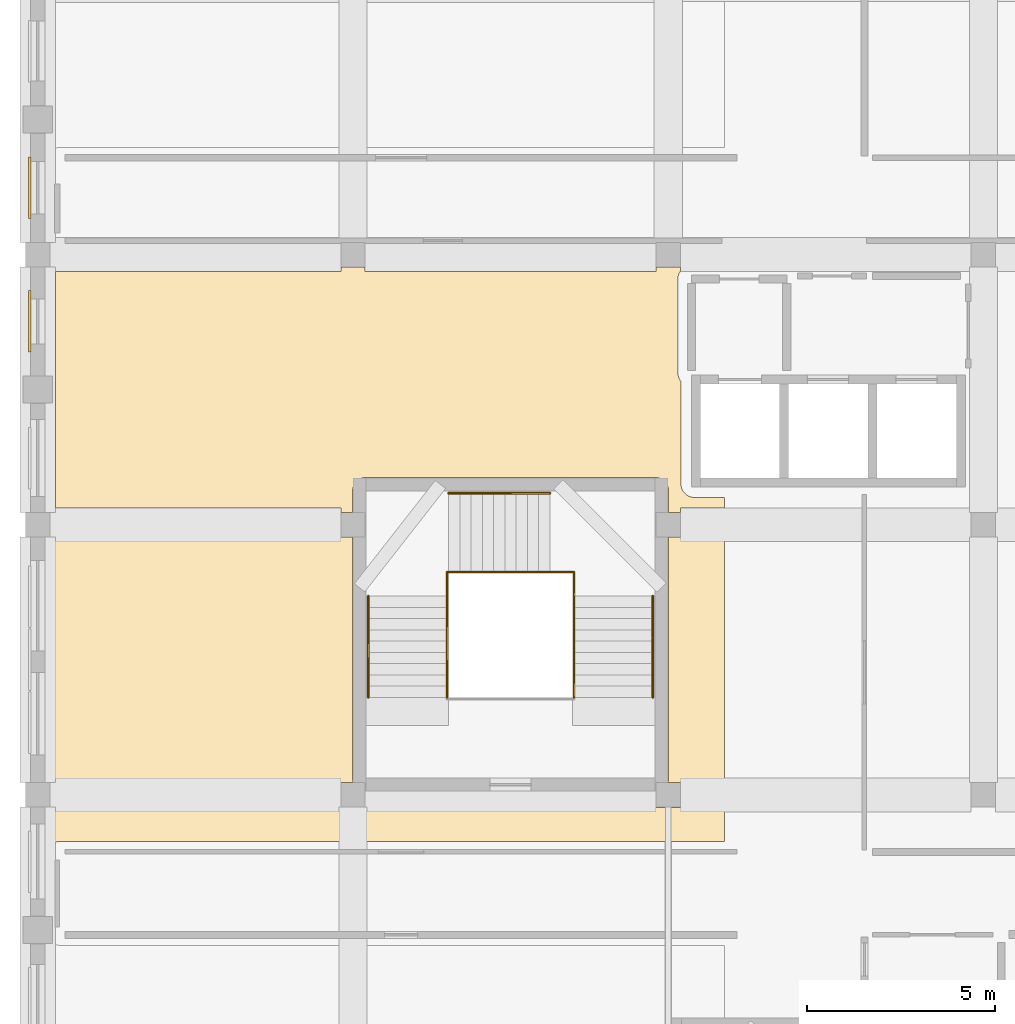
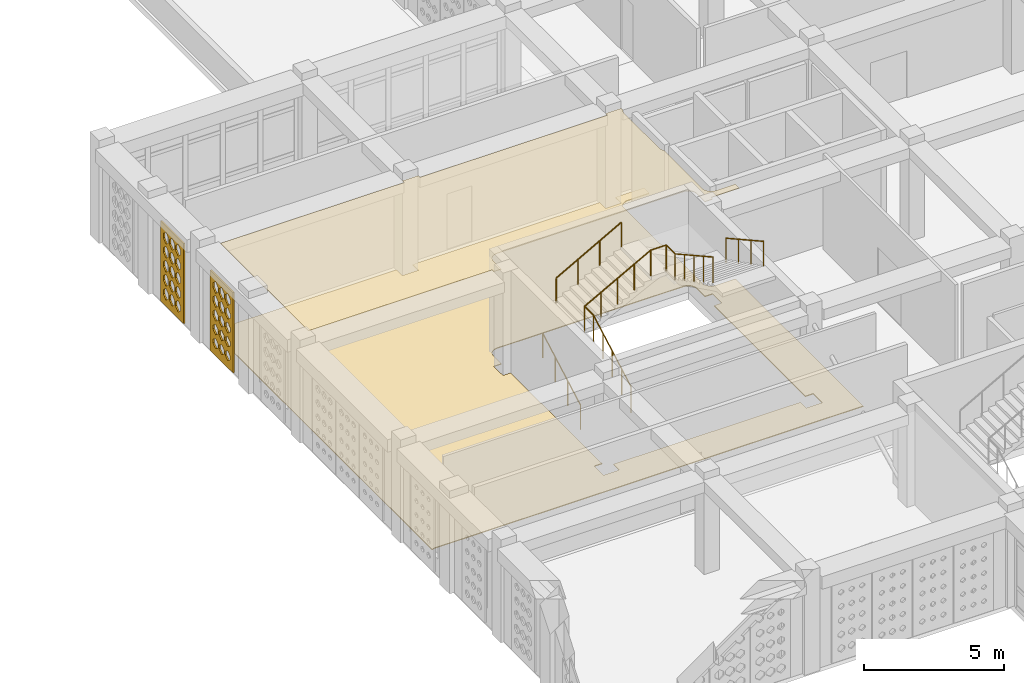
# One storey, part 59 of 79: 6 railings, 4 coverings.
"""IFC4 building model written with IfcOpenShell, lengths in metres."""

from ifc_helpers import new_model, si_unit, derived_unit, direction, frame, origin, origin_2d, place, context, subcontext, project, spatial, polyline, circle, outline, extrude, material, layer, layer_set, type_object, element, save


model = new_model("IFC4")

# Units and contexts
model_context = context("Model", 3, precision=1e-05, world=origin(), true_north=direction((0.0, 1.0)))
body_context = subcontext(model_context, "Body", "Model", "MODEL_VIEW")
ifc_project = project(units=[si_unit("LENGTHUNIT", "METRE"), si_unit("AREAUNIT", "SQUARE_METRE"), si_unit("VOLUMEUNIT", "CUBIC_METRE"), si_unit("PLANEANGLEUNIT", "RADIAN"), si_unit("MASSUNIT", "GRAM", prefix="KILO"), derived_unit("THERMALTRANSMITTANCEUNIT", [(si_unit("POWERUNIT", "WATT"), 1), (si_unit("LENGTHUNIT", "METRE"), -2), (si_unit("THERMODYNAMICTEMPERATUREUNIT", "KELVIN"), -1)])], contexts=[model_context])

# Site, building, storey
site_placement = place(None, origin())
site = spatial("IfcSite", under=ifc_project, at=site_placement, CompositionType="ELEMENT")
building_placement = place(site_placement, origin())
building = spatial("IfcBuilding", under=site, at=building_placement, Name="Veybourne Emporium", CompositionType="ELEMENT")
storey_placement = place(building_placement, frame((0.0, 0.0, 18.89990234375)))
storey = spatial("IfcBuildingStorey", under=building, at=storey_placement, Name="L04", CompositionType="ELEMENT", Elevation=18.89990234375)

# Coverings
ifc_material_1 = material(Name="Mineral Acoustic Ceiling", Category="gypsum")
ifc_layer_1 = layer(ifc_material_1, 0.02490234375)
ifc_layer_set_1 = layer_set([ifc_layer_1], Name="Mineral Acoustic Ceiling")
covering_type_1 = type_object("IfcCoveringType", Name="Ceiling_CLG-01", PredefinedType="CEILING", material=ifc_layer_set_1)
covering_1_placement = place(storey_placement, frame((0.0, 0.0, 4.155029296875)))
element("IfcCovering", 1, at=covering_1_placement, inside=storey, type_object=covering_type_1, Name="L04 coffered acoustic ceiling 04", PredefinedType="CEILING", context=body_context, shape_type="SweptSolid", body=[
    extrude(outline(polyline([(8.72509765625, 42.8701171875), (8.72509765625, 42.751953125), (16.47509765625, 42.751953125), (16.47509765625, 42.8701171875), (17.125, 42.8701171875), (17.125, 42.756103515625), (17.115478515625, 42.74169921875), (17.107421875, 42.728271484375), (17.09814453125, 42.7109375), (17.09130859375, 42.69677734375), (17.083984375, 42.6787109375), (17.07861328125, 42.663818359375), (17.072998046875, 42.64501953125), (17.069091796875, 42.6298828125), (17.065185546875, 42.610595703125), (17.06298828125, 42.594970703125), (17.06103515625, 42.575439453125), (17.060302734375, 42.559814453125), (17.06005859375, 42.550048828125), (17.06005859375, 40.04833984375), (17.060302734375, 40.038818359375), (17.06103515625, 40.0234375), (17.062744140625, 40.00439453125), (17.06494140625, 39.9892578125), (17.068603515625, 39.970458984375), (17.072265625, 39.95556640625), (17.077880859375, 39.93701171875), (17.082763671875, 39.92236328125), (17.090087890625, 39.90478515625), (17.096435546875, 39.890869140625), (17.105224609375, 39.873779296875), (17.113037109375, 39.860595703125), (17.12353515625, 39.844482421875), (17.13232421875, 39.83203125), (17.139892578125, 39.822509765625), (17.139892578125, 37.090087890625), (17.14013671875, 37.080078125), (17.14111328125, 37.064453125), (17.142822265625, 37.044921875), (17.145263671875, 37.029541015625), (17.149169921875, 37.01025390625), (17.15283203125, 36.994873046875), (17.15869140625, 36.97607421875), (17.163818359375, 36.96142578125), (17.17138671875, 36.943359375), (17.177978515625, 36.92919921875), (17.187255859375, 36.911865234375), (17.1953125, 36.8984375), (17.206298828125, 36.8818359375), (17.2158203125, 36.869384765625), (17.22802734375, 36.854248046875), (17.238525390625, 36.842529296875), (17.252685546875, 36.82861328125), (17.26416015625, 36.818115234375), (17.279296875, 36.8056640625), (17.2919921875, 36.79638671875), (17.308349609375, 36.785400390625), (17.32177734375, 36.77734375), (17.339111328125, 36.76806640625), (17.353271484375, 36.761474609375), (17.371337890625, 36.75390625), (17.38623046875, 36.74853515625), (17.405029296875, 36.742919921875), (17.420166015625, 36.739013671875), (17.439453125, 36.7353515625), (17.455078125, 36.73291015625), (17.474609375, 36.73095703125), (17.490234375, 36.730224609375), (17.5, 36.72998046875), (18.303955078125, 36.72998046875), (18.303955078125, 36.447998046875), (17.125, 36.447998046875), (17.125, 36.330078125), (16.81005859375, 36.330078125), (16.81005859375, 36.89990234375), (16.809814453125, 36.909912109375), (16.80908203125, 36.925537109375), (16.80712890625, 36.945068359375), (16.8046875, 36.96044921875), (16.801025390625, 36.979736328125), (16.797119140625, 36.9951171875), (16.79150390625, 37.013916015625), (16.7861328125, 37.028564453125), (16.778564453125, 37.046630859375), (16.77197265625, 37.06103515625), (16.7626953125, 37.078125), (16.754638671875, 37.091796875), (16.74365234375, 37.108154296875), (16.734375, 37.12060546875), (16.721923828125, 37.1357421875), (16.71142578125, 37.1474609375), (16.697265625, 37.161376953125), (16.685791015625, 37.171875), (16.670654296875, 37.184326171875), (16.658203125, 37.193603515625), (16.6416015625, 37.20458984375), (16.628173828125, 37.212646484375), (16.61083984375, 37.221923828125), (16.5966796875, 37.228515625), (16.57861328125, 37.236083984375), (16.56396484375, 37.241455078125), (16.545166015625, 37.2470703125), (16.52978515625, 37.2509765625), (16.510498046875, 37.2548828125), (16.494873046875, 37.257080078125), (16.4755859375, 37.259033203125), (16.459716796875, 37.259765625), (16.449951171875, 37.260009765625), (8.75, 37.260009765625), (8.740234375, 37.259765625), (8.724609375, 37.259033203125), (8.705078125, 37.257080078125), (8.689453125, 37.2548828125), (8.670166015625, 37.2509765625), (8.655029296875, 37.2470703125), (8.63623046875, 37.241455078125), (8.621337890625, 37.236083984375), (8.603271484375, 37.228515625), (8.589111328125, 37.221923828125), (8.57177734375, 37.212646484375), (8.558349609375, 37.20458984375), (8.5419921875, 37.193603515625), (8.529296875, 37.184326171875), (8.51416015625, 37.171875), (8.502685546875, 37.161376953125), (8.488525390625, 37.1474609375), (8.47802734375, 37.1357421875), (8.4658203125, 37.12060546875), (8.456298828125, 37.108154296875), (8.4453125, 37.091796875), (8.437255859375, 37.078125), (8.427978515625, 37.06103515625), (8.42138671875, 37.046630859375), (8.413818359375, 37.028564453125), (8.40869140625, 37.013916015625), (8.40283203125, 36.9951171875), (8.399169921875, 36.979736328125), (8.395263671875, 36.96044921875), (8.392822265625, 36.945068359375), (8.39111328125, 36.925537109375), (8.39013671875, 36.909912109375), (8.389892578125, 36.89990234375), (8.389892578125, 36.330078125), (8.074951171875, 36.330078125), (8.074951171875, 36.447998046875), (0.472900390625, 36.447998046875), (0.472900390625, 42.751953125), (8.074951171875, 42.751953125), (8.074951171875, 42.8701171875), (8.72509765625, 42.8701171875)])), origin(), (0.0, 0.0, 1.0), 0.025146484375),
])
ifc_material_2 = material(Name="European Oak Parquet", Category="wood")
ifc_layer_2 = layer(ifc_material_2, 0.034912109375)
ifc_layer_set_2 = layer_set([ifc_layer_2], Name="European Oak Parquet")
covering_type_2 = type_object("IfcCoveringType", Name="Flooring_FLR-02", PredefinedType="FLOORING", material=ifc_layer_set_2)
covering_2_placement = place(storey_placement, origin())
element("IfcCovering", 2, at=covering_2_placement, inside=storey, type_object=covering_type_2, Name="L04 floor finish 04", PredefinedType="FLOORING", context=body_context, shape_type="SweptSolid", body=[
    extrude(outline(polyline([(0.453369140625, 43.3212890625), (0.471435546875, 43.31396484375), (0.486083984375, 43.30859375), (0.5048828125, 43.302978515625), (0.520263671875, 43.299072265625), (0.53955078125, 43.295166015625), (0.554931640625, 43.29296875), (0.574462890625, 43.291015625), (0.590087890625, 43.290283203125), (0.60009765625, 43.2900390625), (8.070068359375, 43.2900390625), (8.070068359375, 42.8701171875), (8.72998046875, 42.8701171875), (8.72998046875, 43.2900390625), (16.469970703125, 43.2900390625), (16.469970703125, 42.8701171875), (17.1298828125, 42.8701171875), (17.1298828125, 43.2900390625), (18.303955078125, 43.2900390625), (18.303955078125, 42.909912109375), (17.419921875, 42.909912109375), (17.41015625, 42.90966796875), (17.39453125, 42.908935546875), (17.375, 42.906982421875), (17.359375, 42.90478515625), (17.340087890625, 42.90087890625), (17.324951171875, 42.897216796875), (17.30615234375, 42.891357421875), (17.291259765625, 42.88623046875), (17.273193359375, 42.878662109375), (17.259033203125, 42.871826171875), (17.24169921875, 42.86279296875), (17.228271484375, 42.8544921875), (17.2119140625, 42.84375), (17.19921875, 42.834228515625), (17.184326171875, 42.822021484375), (17.172607421875, 42.811279296875), (17.15869140625, 42.79736328125), (17.14794921875, 42.78564453125), (17.1357421875, 42.770751953125), (17.12646484375, 42.758056640625), (17.115478515625, 42.74169921875), (17.107421875, 42.728271484375), (17.09814453125, 42.7109375), (17.09130859375, 42.69677734375), (17.083984375, 42.6787109375), (17.07861328125, 42.663818359375), (17.072998046875, 42.64501953125), (17.069091796875, 42.6298828125), (17.065185546875, 42.610595703125), (17.06298828125, 42.594970703125), (17.06103515625, 42.575439453125), (17.060302734375, 42.559814453125), (17.06005859375, 42.550048828125), (17.06005859375, 40.04833984375), (17.060302734375, 40.038818359375), (17.06103515625, 40.0234375), (17.062744140625, 40.00439453125), (17.06494140625, 39.9892578125), (17.068603515625, 39.970458984375), (17.072265625, 39.95556640625), (17.077880859375, 39.93701171875), (17.082763671875, 39.92236328125), (17.090087890625, 39.90478515625), (17.096435546875, 39.890869140625), (17.105224609375, 39.873779296875), (17.113037109375, 39.860595703125), (17.12353515625, 39.844482421875), (17.13232421875, 39.83203125), (17.139892578125, 39.822509765625), (17.139892578125, 37.090087890625), (17.14013671875, 37.080078125), (17.14111328125, 37.064453125), (17.142822265625, 37.044921875), (17.145263671875, 37.029541015625), (17.149169921875, 37.01025390625), (17.15283203125, 36.994873046875), (17.15869140625, 36.97607421875), (17.163818359375, 36.96142578125), (17.17138671875, 36.943359375), (17.177978515625, 36.92919921875), (17.187255859375, 36.911865234375), (17.1953125, 36.8984375), (17.206298828125, 36.8818359375), (17.2158203125, 36.869384765625), (17.22802734375, 36.854248046875), (17.238525390625, 36.842529296875), (17.252685546875, 36.82861328125), (17.26416015625, 36.818115234375), (17.279296875, 36.8056640625), (17.2919921875, 36.79638671875), (17.308349609375, 36.785400390625), (17.32177734375, 36.77734375), (17.339111328125, 36.76806640625), (17.353271484375, 36.761474609375), (17.371337890625, 36.75390625), (17.38623046875, 36.74853515625), (17.405029296875, 36.742919921875), (17.420166015625, 36.739013671875), (17.439453125, 36.7353515625), (17.455078125, 36.73291015625), (17.474609375, 36.73095703125), (17.490234375, 36.730224609375), (17.5, 36.72998046875), (18.303955078125, 36.72998046875), (18.303955078125, 27.56005859375), (0.60009765625, 27.56005859375), (0.590087890625, 27.559814453125), (0.574462890625, 27.55908203125), (0.554931640625, 27.55712890625), (0.53955078125, 27.5546875), (0.520263671875, 27.551025390625), (0.5048828125, 27.547119140625), (0.486083984375, 27.54150390625), (0.471435546875, 27.5361328125), (0.453369140625, 27.528564453125), (0.43994140625, 27.5224609375), (0.43994140625, 43.32763671875), (0.453369140625, 43.3212890625)]), holes=[polyline([(8.603271484375, 37.228515625), (8.589111328125, 37.221923828125), (8.57177734375, 37.212646484375), (8.558349609375, 37.20458984375), (8.5419921875, 37.193603515625), (8.529296875, 37.184326171875), (8.51416015625, 37.171875), (8.502685546875, 37.161376953125), (8.488525390625, 37.1474609375), (8.47802734375, 37.1357421875), (8.4658203125, 37.12060546875), (8.456298828125, 37.108154296875), (8.4453125, 37.091796875), (8.437255859375, 37.078125), (8.427978515625, 37.06103515625), (8.42138671875, 37.046630859375), (8.413818359375, 37.028564453125), (8.40869140625, 37.013916015625), (8.40283203125, 36.9951171875), (8.399169921875, 36.979736328125), (8.395263671875, 36.96044921875), (8.392822265625, 36.945068359375), (8.39111328125, 36.925537109375), (8.39013671875, 36.909912109375), (8.389892578125, 36.89990234375), (8.389892578125, 36.330078125), (8.070068359375, 36.330078125), (8.070068359375, 35.669921875), (8.389892578125, 35.669921875), (8.389892578125, 29.25), (8.39013671875, 29.240234375), (8.39111328125, 29.224609375), (8.392822265625, 29.205078125), (8.395263671875, 29.189453125), (8.399169921875, 29.170166015625), (8.40283203125, 29.155029296875), (8.40869140625, 29.13623046875), (8.410888671875, 29.1298828125), (8.070068359375, 29.1298828125), (8.070068359375, 28.469970703125), (8.72998046875, 28.469970703125), (8.72998046875, 28.890625), (8.740234375, 28.89013671875), (8.75, 28.889892578125), (16.449951171875, 28.889892578125), (16.459716796875, 28.89013671875), (16.469970703125, 28.890625), (16.469970703125, 28.469970703125), (17.1298828125, 28.469970703125), (17.1298828125, 29.1298828125), (16.789306640625, 29.1298828125), (16.79150390625, 29.13623046875), (16.797119140625, 29.155029296875), (16.801025390625, 29.170166015625), (16.8046875, 29.189453125), (16.80712890625, 29.205078125), (16.80908203125, 29.224609375), (16.809814453125, 29.240234375), (16.81005859375, 29.25), (16.81005859375, 35.669921875), (17.1298828125, 35.669921875), (17.1298828125, 36.330078125), (16.81005859375, 36.330078125), (16.81005859375, 36.89990234375), (16.809814453125, 36.909912109375), (16.80908203125, 36.925537109375), (16.80712890625, 36.945068359375), (16.8046875, 36.96044921875), (16.801025390625, 36.979736328125), (16.797119140625, 36.9951171875), (16.79150390625, 37.013916015625), (16.7861328125, 37.028564453125), (16.778564453125, 37.046630859375), (16.77197265625, 37.06103515625), (16.7626953125, 37.078125), (16.754638671875, 37.091796875), (16.74365234375, 37.108154296875), (16.734375, 37.12060546875), (16.721923828125, 37.1357421875), (16.71142578125, 37.1474609375), (16.697265625, 37.161376953125), (16.685791015625, 37.171875), (16.670654296875, 37.184326171875), (16.658203125, 37.193603515625), (16.6416015625, 37.20458984375), (16.628173828125, 37.212646484375), (16.61083984375, 37.221923828125), (16.5966796875, 37.228515625), (16.57861328125, 37.236083984375), (16.56396484375, 37.241455078125), (16.545166015625, 37.2470703125), (16.52978515625, 37.2509765625), (16.510498046875, 37.2548828125), (16.494873046875, 37.257080078125), (16.4755859375, 37.259033203125), (16.459716796875, 37.259765625), (16.449951171875, 37.260009765625), (8.75, 37.260009765625), (8.740234375, 37.259765625), (8.724609375, 37.259033203125), (8.705078125, 37.257080078125), (8.689453125, 37.2548828125), (8.670166015625, 37.2509765625), (8.655029296875, 37.2470703125), (8.63623046875, 37.241455078125), (8.621337890625, 37.236083984375), (8.603271484375, 37.228515625)])]), origin(), (0.0, 0.0, 1.0), 0.03515625),
])

# Railings
ifc_material_3 = material(Name="Brushed Stainless Steel", Category="steel")
railing_type_1 = type_object("IfcRailingType", Name="Guard_GR-01", PredefinedType="GUARDRAIL", material=ifc_material_3)
railing_1_placement = place(storey_placement, frame((10.909912109375, 31.39990234375, 0.0)))
element("IfcRailing", 3, at=railing_1_placement, inside=storey, type_object=railing_type_1, Name="L04 ST-02 stair guard 1", PredefinedType="GUARDRAIL", context=body_context, shape_type="SweptSolid", body=[
    extrude(circle(Radius=0.02392578125, at=origin_2d()), frame((0.0, 0.0, 1.1259765625), z_axis=(0.0, 0.874172188743, 0.48561608749), x_axis=(-1.0, 0.0, 0.0)), (0.0, 0.0, 1.0), 3.0888671875),
    extrude(circle(Radius=0.02392578125, at=origin_2d()), frame((0.0, 2.7001953125, 2.6259765625), z_axis=(0.0, 1.0, 0.0), x_axis=(-1.0, 0.0, 0.0)), (0.0, 0.0, 1.0), 0.639892578125),
    extrude(circle(Radius=0.02099609375, at=origin_2d()), origin(), (0.0, 0.0, 1.0), 1.101806640625),
    extrude(circle(Radius=0.02099609375, at=origin_2d()), frame((0.0, 0.675048828125, 0.375)), (0.0, 0.0, 1.0), 1.101806640625),
    extrude(circle(Radius=0.02099609375, at=origin_2d()), frame((0.0, 1.35009765625, 0.75)), (0.0, 0.0, 1.0), 1.101806640625),
    extrude(circle(Radius=0.02099609375, at=origin_2d()), frame((0.0, 2.025146484375, 1.125)), (0.0, 0.0, 1.0), 1.101806640625),
    extrude(circle(Radius=0.02099609375, at=origin_2d()), frame((0.0, 2.7001953125, 1.5)), (0.0, 0.0, 1.0), 1.101806640625),
    extrude(circle(Radius=0.02099609375, at=origin_2d()), frame((0.0, 3.340087890625, 1.5)), (0.0, 0.0, 1.0), 1.101806640625),
])
railing_2_placement = place(storey_placement, frame((10.909912109375, 34.739990234375, 1.5)))
element("IfcRailing", 4, at=railing_2_placement, inside=storey, type_object=railing_type_1, Name="L04 ST-02 stair guard 2", PredefinedType="GUARDRAIL", context=body_context, shape_type="SweptSolid", body=[
    extrude(circle(Radius=0.02392578125, at=origin_2d()), frame((0.0, 0.0, 1.1259765625), z_axis=(0.87715976088, 0.0, 0.480198660861), x_axis=(0.0, 1.0, 0.0)), (0.0, 0.0, 1.0), 3.123779296875),
    extrude(circle(Radius=0.02392578125, at=origin_2d()), frame((2.739990234375, 0.0, 2.6259765625), z_axis=(1.0, 0.0, 0.0), x_axis=(0.0, 1.0, 0.0)), (0.0, 0.0, 1.0), 0.64013671875),
    extrude(circle(Radius=0.02099609375, at=origin_2d()), origin(), (0.0, 0.0, 1.0), 1.101806640625),
    extrude(circle(Radius=0.02099609375, at=origin_2d()), frame((0.68505859375, 0.0, 0.375)), (0.0, 0.0, 1.0), 1.101806640625),
    extrude(circle(Radius=0.02099609375, at=origin_2d()), frame((1.3701171875, 0.0, 0.75)), (0.0, 0.0, 1.0), 1.101806640625),
    extrude(circle(Radius=0.02099609375, at=origin_2d()), frame((2.054931640625, 0.0, 1.125)), (0.0, 0.0, 1.0), 1.101806640625),
    extrude(circle(Radius=0.02099609375, at=origin_2d()), frame((2.739990234375, 0.0, 1.5)), (0.0, 0.0, 1.0), 1.101806640625),
    extrude(circle(Radius=0.02099609375, at=origin_2d()), frame((3.380126953125, 0.0, 1.5)), (0.0, 0.0, 1.0), 1.101806640625),
])
railing_3_placement = place(storey_placement, frame((14.2900390625, 34.739990234375, 3.0)))
element("IfcRailing", 5, at=railing_3_placement, inside=storey, type_object=railing_type_1, Name="L04 ST-02 stair guard 3", PredefinedType="GUARDRAIL", context=body_context, shape_type="SweptSolid", body=[
    extrude(circle(Radius=0.02392578125, at=origin_2d()), frame((0.0, 0.0, 1.1259765625), z_axis=(0.0, -1.0, 0.0), x_axis=(1.0, 0.0, 0.0)), (0.0, 0.0, 1.0), 0.639892578125),
    extrude(circle(Radius=0.02392578125, at=origin_2d()), frame((0.0, -0.639892578125, 1.1259765625), z_axis=(0.0, -0.874172188743, 0.48561608749), x_axis=(1.0, 0.0, 0.0)), (0.0, 0.0, 1.0), 3.0888671875),
    extrude(circle(Radius=0.02099609375, at=origin_2d()), origin(), (0.0, 0.0, 1.0), 1.101806640625),
    extrude(circle(Radius=0.02099609375, at=origin_2d()), frame((0.0, -0.639892578125, 0.0)), (0.0, 0.0, 1.0), 1.101806640625),
    extrude(circle(Radius=0.02099609375, at=origin_2d()), frame((0.0, -1.31494140625, 0.375)), (0.0, 0.0, 1.0), 1.101806640625),
    extrude(circle(Radius=0.02099609375, at=origin_2d()), frame((0.0, -1.989990234375, 0.75)), (0.0, 0.0, 1.0), 1.101806640625),
    extrude(circle(Radius=0.02099609375, at=origin_2d()), frame((0.0, -2.6650390625, 1.125)), (0.0, 0.0, 1.0), 1.101806640625),
    extrude(circle(Radius=0.02099609375, at=origin_2d()), frame((0.0, -3.340087890625, 1.5)), (0.0, 0.0, 1.0), 1.101806640625),
])
railing_type_2 = type_object("IfcRailingType", Name="Handrail_HR-01", PredefinedType="HANDRAIL", material=ifc_material_3)
railing_4_placement = place(storey_placement, frame((8.81005859375, 31.39990234375, 0.150146484375)))
element("IfcRailing", 6, at=railing_4_placement, inside=storey, type_object=railing_type_2, Name="L04 ST-02 pitch handrail 1", PredefinedType="HANDRAIL", context=body_context, shape_type="SweptSolid", body=[
    extrude(circle(Radius=0.02392578125, at=origin_2d()), frame((0.0, 0.0, 0.92578125), z_axis=(0.0, 0.874172188743, 0.48561608749), x_axis=(-1.0, 0.0, 0.0)), (0.0, 0.0, 1.0), 3.0888671875),
    extrude(circle(Radius=0.02099609375, at=origin_2d()), frame((0.0, 0.0, -0.14990234375)), (0.0, 0.0, 1.0), 1.0517578125),
    extrude(circle(Radius=0.02099609375, at=origin_2d()), frame((0.0, 0.900146484375, 0.35009765625)), (0.0, 0.0, 1.0), 1.0517578125),
    extrude(circle(Radius=0.02099609375, at=origin_2d()), frame((0.0, 1.800048828125, 0.85009765625)), (0.0, 0.0, 1.0), 1.0517578125),
    extrude(circle(Radius=0.02099609375, at=origin_2d()), frame((0.0, 2.7001953125, 1.35009765625)), (0.0, 0.0, 1.0), 1.0517578125),
])
railing_5_placement = place(storey_placement, frame((10.949951171875, 36.840087890625, 1.650146484375)))
element("IfcRailing", 7, at=railing_5_placement, inside=storey, type_object=railing_type_2, Name="L04 ST-02 pitch handrail 2", PredefinedType="HANDRAIL", context=body_context, shape_type="SweptSolid", body=[
    extrude(circle(Radius=0.02392578125, at=origin_2d()), frame((0.0, 0.0, 0.92578125), z_axis=(0.87415354758, 0.0, 0.485649642493), x_axis=(0.0, 1.0, 0.0)), (0.0, 0.0, 1.0), 3.088623046875),
    extrude(circle(Radius=0.02099609375, at=origin_2d()), frame((0.0, 0.0, -0.14990234375)), (0.0, 0.0, 1.0), 1.0517578125),
    extrude(circle(Radius=0.02099609375, at=origin_2d()), frame((0.89990234375, 0.0, 0.35009765625)), (0.0, 0.0, 1.0), 1.0517578125),
    extrude(circle(Radius=0.02099609375, at=origin_2d()), frame((1.800048828125, 0.0, 0.85009765625)), (0.0, 0.0, 1.0), 1.0517578125),
    extrude(circle(Radius=0.02099609375, at=origin_2d()), frame((2.699951171875, 0.0, 1.35009765625)), (0.0, 0.0, 1.0), 1.0517578125),
])
railing_6_placement = place(storey_placement, frame((16.389892578125, 34.10009765625, 3.150146484375)))
element("IfcRailing", 8, at=railing_6_placement, inside=storey, type_object=railing_type_2, Name="L04 ST-02 pitch handrail 3", PredefinedType="HANDRAIL", context=body_context, shape_type="SweptSolid", body=[
    extrude(circle(Radius=0.02392578125, at=origin_2d()), frame((0.0, 0.0, 0.92578125), z_axis=(0.0, -0.874172188743, 0.48561608749), x_axis=(1.0, 0.0, 0.0)), (0.0, 0.0, 1.0), 3.0888671875),
    extrude(circle(Radius=0.02099609375, at=origin_2d()), frame((0.0, 0.0, -0.14990234375)), (0.0, 0.0, 1.0), 1.0517578125),
    extrude(circle(Radius=0.02099609375, at=origin_2d()), frame((0.0, -0.900146484375, 0.35009765625)), (0.0, 0.0, 1.0), 1.0517578125),
    extrude(circle(Radius=0.02099609375, at=origin_2d()), frame((0.0, -1.800048828125, 0.85009765625)), (0.0, 0.0, 1.0), 1.0517578125),
    extrude(circle(Radius=0.02099609375, at=origin_2d()), frame((0.0, -2.7001953125, 1.35009765625)), (0.0, 0.0, 1.0), 1.0517578125),
])

# Coverings
ifc_material_4 = material(Name="Warm-White Perforated Aluminium Screen Alloy", Category="aluminium")
ifc_layer_3 = layer(ifc_material_4, 0.06005859375)
ifc_layer_set_3 = layer_set([ifc_layer_3], Name="Warm-White Perforated Aluminium Screen Alloy")
covering_type_3 = type_object("IfcCoveringType", Name="WaveScreen_SCR-01", PredefinedType="CLADDING", material=ifc_layer_set_3)
covering_3_placement = place(storey_placement, frame((-0.248046875, 44.9775390625, 1.815185546875), z_axis=(1.0, 0.0, 0.0), x_axis=(0.0, 1.0, 0.0)))
element("IfcCovering", 9, at=covering_3_placement, inside=storey, type_object=covering_type_3, Name="L04 wave-perforated aluminium screen SCR-01 (7A.1)", PredefinedType="CLADDING", context=body_context, shape_type="SweptSolid", body=[
    extrude(outline(polyline([(-0.81982421875, -1.7548828125), (0.81982421875, -1.7548828125), (0.81982421875, 1.7548828125), (-0.81982421875, 1.7548828125), (-0.81982421875, -1.7548828125)]), holes=[polyline([(-0.433349609375, -0.972412109375), (-0.2470703125, -1.135986328125), (-0.2470703125, -1.320068359375), (-0.433349609375, -1.4833984375), (-0.61962890625, -1.320068359375), (-0.61962890625, -1.135986328125), (-0.433349609375, -0.972412109375)]), polyline([(-0.433349609375, -0.350341796875), (-0.2470703125, -0.51904296875), (-0.2470703125, -0.708984375), (-0.433349609375, -0.877685546875), (-0.61962890625, -0.708984375), (-0.61962890625, -0.51904296875), (-0.433349609375, -0.350341796875)]), polyline([(-0.433349609375, 0.263916015625), (-0.2470703125, 0.094970703125), (-0.2470703125, -0.094970703125), (-0.433349609375, -0.263916015625), (-0.61962890625, -0.094970703125), (-0.61962890625, 0.094970703125), (-0.433349609375, 0.263916015625)]), polyline([(-0.433349609375, 0.8779296875), (-0.2470703125, 0.708984375), (-0.2470703125, 0.51904296875), (-0.433349609375, 0.35009765625), (-0.61962890625, 0.51904296875), (-0.61962890625, 0.708984375), (-0.433349609375, 0.8779296875)]), polyline([(-0.433349609375, 1.491943359375), (-0.2470703125, 1.322998046875), (-0.2470703125, 1.133056640625), (-0.433349609375, 0.964111328125), (-0.61962890625, 1.133056640625), (-0.61962890625, 1.322998046875), (-0.433349609375, 1.491943359375)]), polyline([(0.0, -0.968505859375), (0.186279296875, -1.134521484375), (0.186279296875, -1.3212890625), (0.0, -1.4873046875), (-0.186279296875, -1.3212890625), (-0.186279296875, -1.134521484375), (0.0, -0.968505859375)]), polyline([(0.0, -0.35009765625), (0.186279296875, -0.51904296875), (0.186279296875, -0.708984375), (0.0, -0.8779296875), (-0.186279296875, -0.708984375), (-0.186279296875, -0.51904296875), (0.0, -0.35009765625)]), polyline([(0.0, 0.263916015625), (0.186279296875, 0.094970703125), (0.186279296875, -0.094970703125), (0.0, -0.263916015625), (-0.186279296875, -0.094970703125), (-0.186279296875, 0.094970703125), (0.0, 0.263916015625)]), polyline([(0.0, 0.8779296875), (0.186279296875, 0.708984375), (0.186279296875, 0.51904296875), (0.0, 0.35009765625), (-0.186279296875, 0.51904296875), (-0.186279296875, 0.708984375), (0.0, 0.8779296875)]), polyline([(0.0, 1.491943359375), (0.186279296875, 1.322998046875), (0.186279296875, 1.133056640625), (0.0, 0.964111328125), (-0.186279296875, 1.133056640625), (-0.186279296875, 1.322998046875), (0.0, 1.491943359375)]), polyline([(0.433349609375, -0.965087890625), (0.61962890625, -1.13330078125), (0.61962890625, -1.32275390625), (0.433349609375, -1.490966796875), (0.2470703125, -1.32275390625), (0.2470703125, -1.13330078125), (0.433349609375, -0.965087890625)]), polyline([(0.433349609375, -0.35009765625), (0.61962890625, -0.51904296875), (0.61962890625, -0.708984375), (0.433349609375, -0.8779296875), (0.2470703125, -0.708984375), (0.2470703125, -0.51904296875), (0.433349609375, -0.35009765625)]), polyline([(0.433349609375, 0.263916015625), (0.61962890625, 0.094970703125), (0.61962890625, -0.094970703125), (0.433349609375, -0.263916015625), (0.2470703125, -0.094970703125), (0.2470703125, 0.094970703125), (0.433349609375, 0.263916015625)]), polyline([(0.433349609375, 0.8779296875), (0.61962890625, 0.708984375), (0.61962890625, 0.51904296875), (0.433349609375, 0.35009765625), (0.2470703125, 0.51904296875), (0.2470703125, 0.708984375), (0.433349609375, 0.8779296875)]), polyline([(0.433349609375, 1.491943359375), (0.61962890625, 1.322998046875), (0.61962890625, 1.133056640625), (0.433349609375, 0.964111328125), (0.2470703125, 1.133056640625), (0.2470703125, 1.322998046875), (0.433349609375, 1.491943359375)])]), origin(), (0.0, 0.0, 1.0), 0.06005859375),
])
ifc_layer_4 = layer(ifc_material_4, 0.06005859375)
ifc_layer_set_4 = layer_set([ifc_layer_4], Name="Warm-White Perforated Aluminium Screen Alloy")
covering_type_4 = type_object("IfcCoveringType", Name="WaveScreen_SCR-03", PredefinedType="CLADDING", material=ifc_layer_set_4)
covering_4_placement = place(storey_placement, frame((-0.248046875, 41.422607421875, 1.815185546875), z_axis=(1.0, 0.0, 0.0), x_axis=(0.0, 1.0, 0.0)))
element("IfcCovering", 10, at=covering_4_placement, inside=storey, type_object=covering_type_4, Name="L04 wave-perforated aluminium screen SCR-03 (5B.1)", PredefinedType="CLADDING", context=body_context, shape_type="SweptSolid", body=[
    extrude(outline(polyline([(-0.81982421875, -1.7548828125), (0.81982421875, -1.7548828125), (0.81982421875, 1.7548828125), (-0.81982421875, 1.7548828125), (-0.81982421875, -1.7548828125)]), holes=[polyline([(-0.433349609375, -1.016845703125), (-0.25048828125, -1.152099609375), (-0.25048828125, -1.303955078125), (-0.433349609375, -1.439208984375), (-0.6162109375, -1.303955078125), (-0.6162109375, -1.152099609375), (-0.433349609375, -1.016845703125)]), polyline([(-0.433349609375, -0.389404296875), (-0.2470703125, -0.533203125), (-0.2470703125, -0.69482421875), (-0.433349609375, -0.838623046875), (-0.61962890625, -0.69482421875), (-0.61962890625, -0.533203125), (-0.433349609375, -0.389404296875)]), polyline([(-0.433349609375, 0.2373046875), (-0.2470703125, 0.08544921875), (-0.2470703125, -0.08544921875), (-0.433349609375, -0.2373046875), (-0.61962890625, -0.08544921875), (-0.61962890625, 0.08544921875), (-0.433349609375, 0.2373046875)]), polyline([(-0.433349609375, 0.8623046875), (-0.2470703125, 0.703369140625), (-0.2470703125, 0.524658203125), (-0.433349609375, 0.365478515625), (-0.61962890625, 0.524658203125), (-0.61962890625, 0.703369140625), (-0.433349609375, 0.8623046875)]), polyline([(-0.433349609375, 1.486083984375), (-0.2470703125, 1.32080078125), (-0.2470703125, 1.135009765625), (-0.433349609375, 0.969970703125), (-0.61962890625, 1.135009765625), (-0.61962890625, 1.32080078125), (-0.433349609375, 1.486083984375)]), polyline([(0.0, -1.010498046875), (0.186279296875, -1.149658203125), (0.186279296875, -1.306396484375), (0.0, -1.4453125), (-0.186279296875, -1.306396484375), (-0.186279296875, -1.149658203125), (0.0, -1.010498046875)]), polyline([(0.0, -0.383544921875), (0.186279296875, -0.531005859375), (0.186279296875, -0.697021484375), (0.0, -0.844482421875), (-0.186279296875, -0.697021484375), (-0.186279296875, -0.531005859375), (0.0, -0.383544921875)]), polyline([(0.0, 0.242431640625), (0.186279296875, 0.08740234375), (0.186279296875, -0.08740234375), (0.0, -0.242431640625), (-0.186279296875, -0.08740234375), (-0.186279296875, 0.08740234375), (0.0, 0.242431640625)]), polyline([(0.0, 0.866943359375), (0.186279296875, 0.705078125), (0.186279296875, 0.52294921875), (0.0, 0.361083984375), (-0.186279296875, 0.52294921875), (-0.186279296875, 0.705078125), (0.0, 0.866943359375)]), polyline([(0.0, 1.48974609375), (0.186279296875, 1.322265625), (0.186279296875, 1.1337890625), (0.0, 0.96630859375), (-0.186279296875, 1.1337890625), (-0.186279296875, 1.322265625), (0.0, 1.48974609375)]), polyline([(0.433349609375, -1.00439453125), (0.61962890625, -1.147705078125), (0.61962890625, -1.308349609375), (0.433349609375, -1.451416015625), (0.2470703125, -1.308349609375), (0.2470703125, -1.147705078125), (0.433349609375, -1.00439453125)]), polyline([(0.433349609375, -0.3779296875), (0.61962890625, -0.529052734375), (0.61962890625, -0.698974609375), (0.433349609375, -0.85009765625), (0.2470703125, -0.698974609375), (0.2470703125, -0.529052734375), (0.433349609375, -0.3779296875)]), polyline([(0.433349609375, 0.247314453125), (0.61962890625, 0.089111328125), (0.61962890625, -0.089111328125), (0.433349609375, -0.247314453125), (0.2470703125, -0.089111328125), (0.2470703125, 0.089111328125), (0.433349609375, 0.247314453125)]), polyline([(0.433349609375, 0.87109375), (0.61962890625, 0.70654296875), (0.61962890625, 0.521484375), (0.433349609375, 0.356689453125), (0.2470703125, 0.521484375), (0.2470703125, 0.70654296875), (0.433349609375, 0.87109375)]), polyline([(0.433349609375, 1.491943359375), (0.61962890625, 1.322998046875), (0.61962890625, 1.133056640625), (0.433349609375, 0.964111328125), (0.2470703125, 1.133056640625), (0.2470703125, 1.322998046875), (0.433349609375, 1.491943359375)])]), origin(), (0.0, 0.0, 1.0), 0.06005859375),
])

save(model, "model.ifc")
